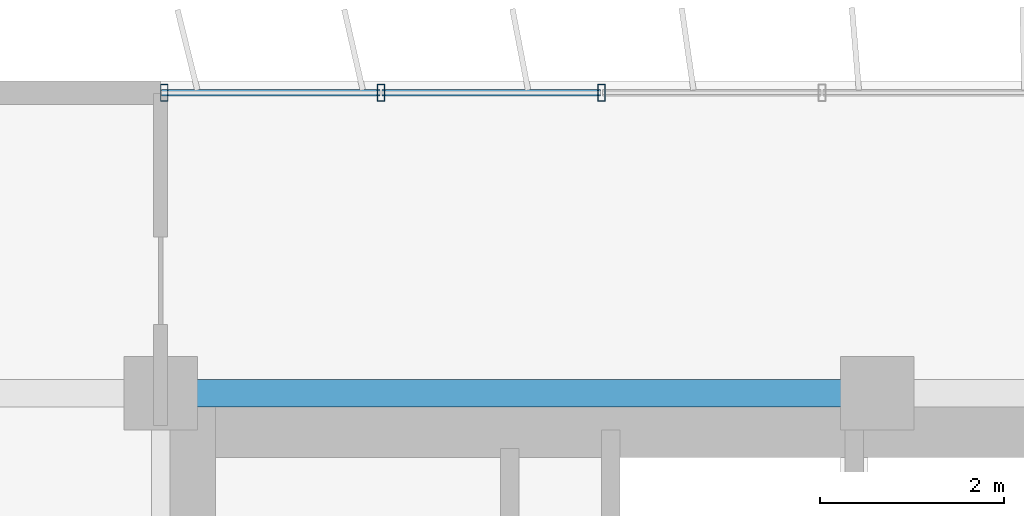
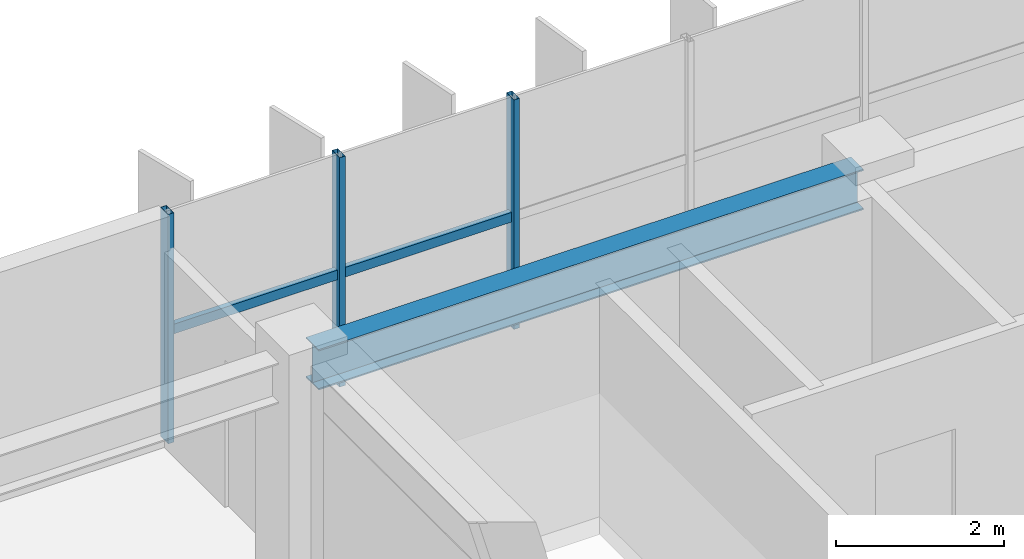
# One storey, part 5 of 21: 5 members, 1 beam, 1 element without a shape of its own.
"""IFC4 building model written with IfcOpenShell, lengths in metres."""

import ifcopenshell
import ifcopenshell.guid

model = None  # the IFC model being written
_history = None  # IfcOwnerHistory: only IFC2X3 demands one
_inside = {}  # id of a spatial element -> (the spatial element, [elements in it])
_under = {}  # id of a project, library or spatial element -> (it, [spatial elements below it])
_declared = {}  # id of a project -> (the project, [libraries it declares])
_typed = {}  # id of a type object -> (the type object, [elements of that type])
_made_of = {}  # id of a material, layer set ... -> (it, [elements and type objects made of it])


def new_model(schema):
    """Start an empty IFC model of exactly this schema.

    Asked for "IFC4X3", IfcOpenShell would pick the latest addendum, in which some entities
    have other attributes; the version numbers below select the first issue.
    IFC2X3 requires an IfcOwnerHistory on every rooted entity: one is made here for all.
    """
    global model, _history
    if schema == "IFC4X3":
        model = ifcopenshell.file(schema_version=(4, 3, 0, 0))
    else:
        model = ifcopenshell.file(schema=schema)
    _inside.clear()
    _under.clear()
    _declared.clear()
    _typed.clear()
    _made_of.clear()
    _history = None
    if model.schema == "IFC2X3":
        org = make("IfcOrganization", Name="unknown")
        user = make(
            "IfcPersonAndOrganization",
            ThePerson=make("IfcPerson", FamilyName="unknown"),
            TheOrganization=org,
        )
        app = make(
            "IfcApplication",
            ApplicationDeveloper=org,
            Version="unknown",
            ApplicationFullName="unknown",
            ApplicationIdentifier="unknown",
        )
        _history = make(
            "IfcOwnerHistory",
            OwningUser=user,
            OwningApplication=app,
            ChangeAction="ADDED",
            CreationDate=0,
        )
    return model


def make(cls, **values):
    """One entity of the class cls with the attributes given. An attribute that is None is left unset."""
    return model.create_entity(
        cls, **{name: value for name, value in values.items() if value is not None}
    )


def rooted(cls, **values):
    """An entity with a GlobalId (a new one), such as an element, a storey or a relation."""
    return make(cls, GlobalId=ifcopenshell.guid.new(), OwnerHistory=_history, **values)


def si_unit(unit_type, name, prefix=None):
    """IfcSIUnit, for example si_unit("LENGTHUNIT", "METRE", prefix="MILLI")."""
    return make("IfcSIUnit", UnitType=unit_type, Prefix=prefix, Name=name)


def assignment(units):
    """IfcUnitAssignment: the units of a project."""
    return None if units is None else make("IfcUnitAssignment", Units=units)


def point(xyz):
    """IfcCartesianPoint."""
    return None if xyz is None else make("IfcCartesianPoint", Coordinates=xyz)


def direction(xyz):
    """IfcDirection."""
    return None if xyz is None else make("IfcDirection", DirectionRatios=xyz)


def frame(location, z_axis=None, x_axis=None):
    """IfcAxis2Placement3D, a coordinate frame: its origin and axes. An axis left out is left unset."""
    return make(
        "IfcAxis2Placement3D",
        Location=point(location),
        Axis=direction(z_axis),
        RefDirection=direction(x_axis),
    )


def frame_2d(location, x_axis=None):
    """IfcAxis2Placement2D, a coordinate frame in the plane: its origin and x axis."""
    return make(
        "IfcAxis2Placement2D", Location=point(location), RefDirection=direction(x_axis)
    )


def origin():
    """The frame at (0, 0, 0) with its axes left unset."""
    return frame((0.0, 0.0, 0.0))


def origin_2d():
    """The frame at (0, 0) in the plane with its x axis left unset."""
    return frame_2d((0.0, 0.0))


def place(relative_to, where):
    """IfcLocalPlacement: puts the frame where relative to a parent placement (None: the world)."""
    return make(
        "IfcLocalPlacement", PlacementRelTo=relative_to, RelativePlacement=where
    )


def context(
    kind, dimensions, precision=None, world=None, true_north=None, identifier=None
):
    """IfcGeometricRepresentationContext, for example the 3D "Model" context."""
    return make(
        "IfcGeometricRepresentationContext",
        ContextIdentifier=identifier,
        ContextType=kind,
        CoordinateSpaceDimension=dimensions,
        Precision=precision,
        WorldCoordinateSystem=world,
        TrueNorth=true_north,
    )


def subcontext(parent, identifier, kind, view, scale=None):
    """IfcGeometricRepresentationSubContext, for example "Body" below "Model"."""
    return make(
        "IfcGeometricRepresentationSubContext",
        ContextIdentifier=identifier,
        ContextType=kind,
        ParentContext=parent,
        TargetScale=scale,
        TargetView=view,
    )


def project(units=None, contexts=None):
    """IfcProject with its units and contexts."""
    return rooted(
        "IfcProject",
        Name="project",
        RepresentationContexts=contexts,
        UnitsInContext=assignment(units),
    )


def spatial(cls, under=None, at=None, **own):
    """A site, building, storey or space (cls), placed at a placement, below another one or the project."""
    s = rooted(cls, ObjectPlacement=at, **own)
    if under is not None:
        _under.setdefault(under.id(), (under, []))[1].append(s)
    return s


def profile(cls, at=None, kind="AREA", **sizes):
    """A parametric profile (cls). Its sizes go by their IFC names, for example OverallWidth=200.0."""
    return make(cls, ProfileType=kind, Position=at, **sizes)


def hollow_rectangle(**sizes):
    """IfcRectangleHollowProfileDef."""
    return profile("IfcRectangleHollowProfileDef", **sizes)


def i_section(**sizes):
    """IfcIShapeProfileDef."""
    return profile("IfcIShapeProfileDef", **sizes)


def extrude(swept, where, along, depth):
    """IfcExtrudedAreaSolid: the profile swept, set in the frame where, extruded along a direction by depth."""
    return make(
        "IfcExtrudedAreaSolid",
        SweptArea=swept,
        Position=where,
        ExtrudedDirection=direction(along),
        Depth=depth,
    )


def shape(context_of_items, identifier, shape_type, items):
    """IfcShapeRepresentation: the items that make up one representation, for example the "Body"."""
    return make(
        "IfcShapeRepresentation",
        ContextOfItems=context_of_items,
        RepresentationIdentifier=identifier,
        RepresentationType=shape_type,
        Items=items,
    )


def source(mapping_origin, context_of_items, identifier, shape_type, items):
    """IfcRepresentationMap: a shape defined once, which mapped items show again and again."""
    return make(
        "IfcRepresentationMap",
        MappingOrigin=mapping_origin,
        MappedRepresentation=shape(context_of_items, identifier, shape_type, items),
    )


def transform(
    local_origin,
    x_axis=None,
    y_axis=None,
    z_axis=None,
    scale=None,
    scale2=None,
    scale3=None,
    uniform=True,
):
    """IfcCartesianTransformationOperator3D, or its non-uniform kind. x_axis, y_axis, z_axis: its Axis1, 2, 3."""
    if uniform:
        return make(
            "IfcCartesianTransformationOperator3D",
            Axis1=direction(x_axis),
            Axis2=direction(y_axis),
            LocalOrigin=point(local_origin),
            Scale=scale,
            Axis3=direction(z_axis),
        )
    return make(
        "IfcCartesianTransformationOperator3DnonUniform",
        Axis1=direction(x_axis),
        Axis2=direction(y_axis),
        LocalOrigin=point(local_origin),
        Scale=scale,
        Axis3=direction(z_axis),
        Scale2=scale2,
        Scale3=scale3,
    )


def mapped(mapping_source, mapping_target):
    """IfcMappedItem: shows the shape of a source again, moved by a transform."""
    return make(
        "IfcMappedItem", MappingSource=mapping_source, MappingTarget=mapping_target
    )


def material(Name=None, Category=None):
    """IfcMaterial."""
    return make("IfcMaterial", Name=Name, Category=Category)


def material_profile(
    of_material, cross_section, Name=None, Category=None, Priority=None
):
    """IfcMaterialProfile: a cross section and its material."""
    return make(
        "IfcMaterialProfile",
        Name=Name,
        Material=of_material,
        Profile=cross_section,
        Priority=Priority,
        Category=Category,
    )


def profile_set(profiles, Name=None, composite=None):
    """IfcMaterialProfileSet."""
    return make(
        "IfcMaterialProfileSet",
        Name=Name,
        MaterialProfiles=profiles,
        CompositeProfile=composite,
    )


def made_of(thing, what):
    """Note that an element or type object is made of a material, layer set ...; save() writes the relation."""
    if what is not None:
        _made_of.setdefault(what.id(), (what, []))[1].append(thing)
    return thing


def type_object(cls, material=None, **own):
    """A type object (cls), such as IfcWallType, which elements share."""
    return made_of(rooted(cls, **own), material)


def element(
    cls,
    number,
    at=None,
    inside=None,
    cuts=None,
    type_object=None,
    material=None,
    context=None,
    identifier="Body",
    shape_type=None,
    held_by="IfcProductDefinitionShape",
    body=None,
    shapes=None,
    **own,
):
    """One element of the class cls, such as IfcWall. Its Tag is "e" and its number.

    at: its placement. inside: the storey or other place that contains it. cuts: it is an
    opening in that element (IfcRelVoidsElement). A single representation is given by context,
    identifier, shape_type and body (its items); several are given by shapes. held_by: the class
    of the entity that holds the representations. save() writes the other relations.
    """
    e = rooted(cls, Tag="e%d" % number, ObjectPlacement=at, **own)
    if body is not None:
        shapes = [shape(context, identifier, shape_type, body)]
    if shapes is not None:
        e.Representation = make(held_by, Representations=shapes)
    if inside is not None:
        _inside.setdefault(inside.id(), (inside, []))[1].append(e)
    if cuts is not None:
        rooted(
            "IfcRelVoidsElement", RelatingBuildingElement=cuts, RelatedOpeningElement=e
        )
    if type_object is not None:
        _typed.setdefault(type_object.id(), (type_object, []))[1].append(e)
    return made_of(e, material)


def aggregate(whole, parts):
    """IfcRelAggregates: a whole, such as a stair, and the parts it consists of."""
    return rooted("IfcRelAggregates", RelatingObject=whole, RelatedObjects=parts)


def save(model, path):
    """Write the relations noted so far, then the file.

    IfcRelAggregates (storeys below a building ...), IfcRelContainedInSpatialStructure (elements
    in a storey), IfcRelDefinesByType, IfcRelAssociatesMaterial and IfcRelDeclares: one each for
    every whole, place, type object, material and project.
    """
    for whole, parts in _under.values():
        aggregate(whole, parts)
    for where, things in _inside.values():
        rooted(
            "IfcRelContainedInSpatialStructure",
            RelatedElements=things,
            RelatingStructure=where,
        )
    for kind, things in _typed.values():
        rooted("IfcRelDefinesByType", RelatedObjects=things, RelatingType=kind)
    for what, things in _made_of.values():
        rooted("IfcRelAssociatesMaterial", RelatedObjects=things, RelatingMaterial=what)
    for by, libraries in _declared.values():
        rooted("IfcRelDeclares", RelatingContext=by, RelatedDefinitions=libraries)
    model.write(path)


model = new_model("IFC4")

# Units and contexts
model_context = context("Model", 3, precision=1e-05, world=origin(), true_north=direction((0.0, 1.0)))
body_context = subcontext(model_context, "Body", "Model", "MODEL_VIEW")
ifc_project = project(units=[si_unit("LENGTHUNIT", "METRE"), si_unit("AREAUNIT", "SQUARE_METRE"), si_unit("VOLUMEUNIT", "CUBIC_METRE"), si_unit("PLANEANGLEUNIT", "RADIAN"), si_unit("MASSUNIT", "GRAM", prefix="KILO")], contexts=[model_context])

# Site, building, storey
site_placement = place(None, origin())
site = spatial("IfcSite", under=ifc_project, at=site_placement, CompositionType="ELEMENT")
building_placement = place(site_placement, origin())
building = spatial("IfcBuilding", under=site, at=building_placement, Name="Trelvane Seafront Commons", CompositionType="ELEMENT")
storey_placement = place(building_placement, frame((0.0, 0.0, 106.89990234375)))
storey = spatial("IfcBuildingStorey", under=building, at=storey_placement, Name="L27", CompositionType="ELEMENT", Elevation=106.89990234375)

# Beam
ifc_material_1 = material(Name="Steel SM355 (S355)", Category="steel")
ifc_material_profile_1 = material_profile(ifc_material_1, i_section(OverallWidth=0.300048828125, OverallDepth=0.587890625, WebThickness=0.011962890625, FlangeThickness=0.02001953125, at=origin_2d()), Name="H-588x300x12x20")
ifc_profile_set_1 = profile_set([ifc_material_profile_1], Name="Steel SM355 (S355)")
beam_type = type_object("IfcBeamType", Name="STR-BM-H588", PredefinedType="BEAM", material=ifc_profile_set_1)
shared_shape_1 = source(origin(), body_context, "Body", "SweptSolid", [
    extrude(i_section(OverallWidth=0.300048828125, OverallDepth=0.587890625, WebThickness=0.011962890625, FlangeThickness=0.02001953125, at=origin_2d()), origin(), (0.0, 0.0, 1.0), 7.5),
])
beam_placement = place(storey_placement, frame((15.75, 45.10009765625, 3.046142578125), z_axis=(1.0, 0.0, 0.0), x_axis=(0.0, 1.0, 0.0)))
element("IfcBeam", 1, at=beam_placement, inside=storey, type_object=beam_type, Name="L27 Primary Girder G-30", PredefinedType="BEAM", context=body_context, shape_type="MappedRepresentation", body=[
    mapped(shared_shape_1, transform((0.0, 0.0, 0.0), x_axis=(1.0, 0.0, 0.0), y_axis=(0.0, 1.0, 0.0), z_axis=(0.0, 0.0, 1.0), scale=1.0)),
])

# Curtain wall, members
ifc_material_2 = material(Name="Anodised pale-silver aluminium", Category="aluminium")
curtain_wall_type = type_object("IfcCurtainWallType", Name="ARCH-CW4-SKYLOBBY", PredefinedType="NOTDEFINED", material=ifc_material_2)
curtain_wall_placement = place(storey_placement, origin())
curtain_wall = element("IfcCurtainWall", 2, at=curtain_wall_placement, inside=storey, type_object=curtain_wall_type, Name="CW-L27-0052", PredefinedType="NOTDEFINED")
ifc_material_profile_2 = material_profile(ifc_material_2, hollow_rectangle(XDim=0.074951171875, YDim=0.139892578125, WallThickness=0.00390625, at=origin_2d()), Name="TRAN-75x140x4")
ifc_profile_set_2 = profile_set([ifc_material_profile_2], Name="Anodised pale-silver aluminium")
member_type_1 = type_object("IfcMemberType", Name="ARCH-CW-TRAN-140", PredefinedType="USERDEFINED", material=ifc_profile_set_2)
shared_shape_2 = source(origin(), body_context, "Body", "SweptSolid", [
    extrude(hollow_rectangle(XDim=0.074951171875, YDim=0.139892578125, WallThickness=0.00390625, at=origin_2d()), origin(), (0.0, 0.0, 1.0), 2.3759765625),
])
member_1_placement = place(storey_placement, frame((15.612060546875, 48.3701171875, 1.60302734375), z_axis=(1.0, 0.0, 0.0), x_axis=(0.0, 1.0, 0.0)))
member_1 = element("IfcMember", 3, at=member_1_placement, type_object=member_type_1, Name="CW-L27-0052-T00", ObjectType="TRANSOM", PredefinedType="USERDEFINED", context=body_context, shape_type="MappedRepresentation", body=[
    mapped(shared_shape_2, transform((0.0, 0.0, 0.0), x_axis=(1.0, 0.0, 0.0), y_axis=(0.0, 1.0, 0.0), z_axis=(0.0, 0.0, 1.0), scale=1.0)),
])
member_2_placement = place(storey_placement, frame((18.011962890625, 48.3701171875, 1.60302734375), z_axis=(1.0, 0.0, 0.0), x_axis=(0.0, 1.0, 0.0)))
member_2 = element("IfcMember", 4, at=member_2_placement, type_object=member_type_1, Name="CW-L27-0052-T01", ObjectType="TRANSOM", PredefinedType="USERDEFINED", context=body_context, shape_type="MappedRepresentation", body=[
    mapped(shared_shape_2, transform((0.0, 0.0, 0.0), x_axis=(1.0, 0.0, 0.0), y_axis=(0.0, 1.0, 0.0), z_axis=(0.0, 0.0, 1.0), scale=1.0)),
])
ifc_material_profile_3 = material_profile(ifc_material_2, hollow_rectangle(XDim=0.080078125, YDim=0.179931640625, WallThickness=0.00439453125, at=origin_2d()), Name="MULL-80x180x4.5")
ifc_profile_set_3 = profile_set([ifc_material_profile_3], Name="Anodised pale-silver aluminium")
member_type_2 = type_object("IfcMemberType", Name="ARCH-CW-MULL-180", PredefinedType="MULLION", material=ifc_profile_set_3)
shared_shape_3 = source(origin(), body_context, "Body", "SweptSolid", [
    extrude(hollow_rectangle(XDim=0.080078125, YDim=0.179931640625, WallThickness=0.00439453125, at=origin_2d()), origin(), (0.0, 0.0, 1.0), 3.340087890625),
])
member_3_placement = place(storey_placement, frame((15.639892578125, 48.3701171875, 0.0), z_axis=(0.0, 0.0, 1.0), x_axis=(1.0, 0.0, 0.0)))
member_3 = element("IfcMember", 5, at=member_3_placement, type_object=member_type_2, Name="CW-L27-0052-M00", PredefinedType="MULLION", context=body_context, shape_type="MappedRepresentation", body=[
    mapped(shared_shape_3, transform((0.0, 0.0, 0.0), x_axis=(1.0, 0.0, 0.0), y_axis=(0.0, 1.0, 0.0), z_axis=(0.0, 0.0, 1.0), scale=1.0)),
])
member_4_placement = place(storey_placement, frame((18.0, 48.3701171875, 0.0), z_axis=(0.0, 0.0, 1.0), x_axis=(1.0, 0.0, 0.0)))
member_4 = element("IfcMember", 6, at=member_4_placement, type_object=member_type_2, Name="CW-L27-0052-M01", PredefinedType="MULLION", context=body_context, shape_type="MappedRepresentation", body=[
    mapped(shared_shape_3, transform((0.0, 0.0, 0.0), x_axis=(1.0, 0.0, 0.0), y_axis=(0.0, 1.0, 0.0), z_axis=(0.0, 0.0, 1.0), scale=1.0)),
])
member_5_placement = place(storey_placement, frame((20.39990234375, 48.3701171875, 0.0), z_axis=(0.0, 0.0, 1.0), x_axis=(1.0, 0.0, 0.0)))
member_5 = element("IfcMember", 7, at=member_5_placement, type_object=member_type_2, Name="CW-L27-0052-M02", PredefinedType="MULLION", context=body_context, shape_type="MappedRepresentation", body=[
    mapped(shared_shape_3, transform((0.0, 0.0, 0.0), x_axis=(1.0, 0.0, 0.0), y_axis=(0.0, 1.0, 0.0), z_axis=(0.0, 0.0, 1.0), scale=1.0)),
])
aggregate(curtain_wall, [member_3, member_4, member_5, member_1, member_2])

save(model, "model.ifc")
